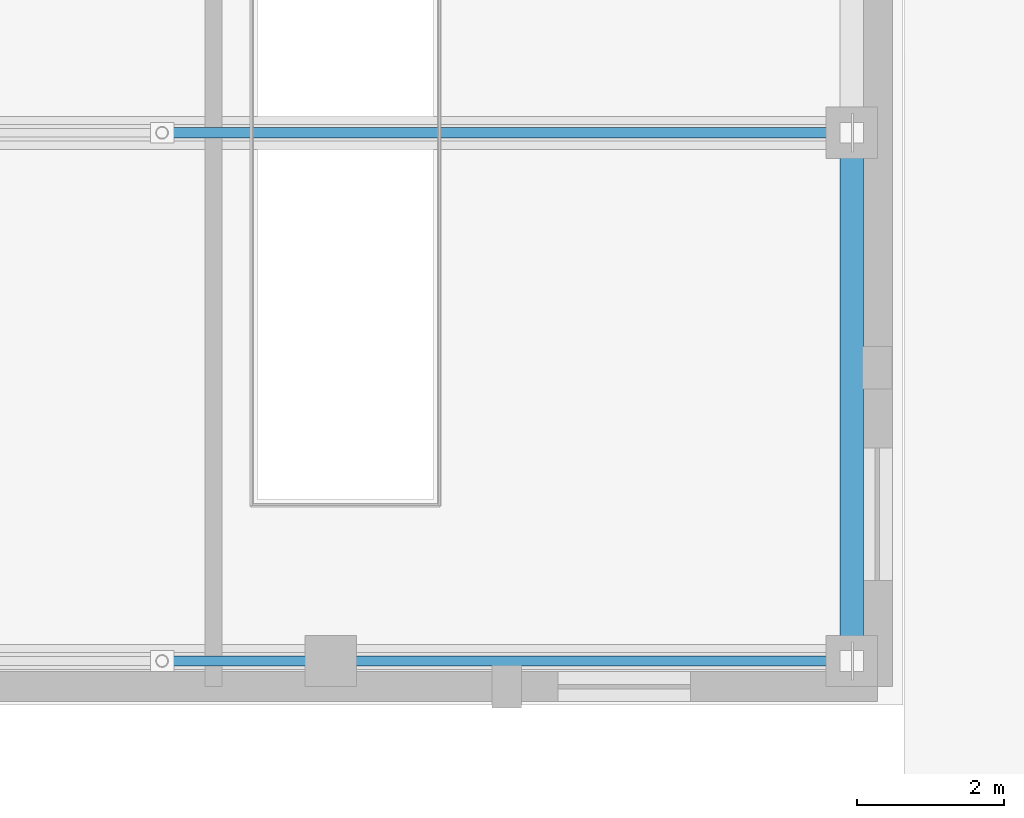
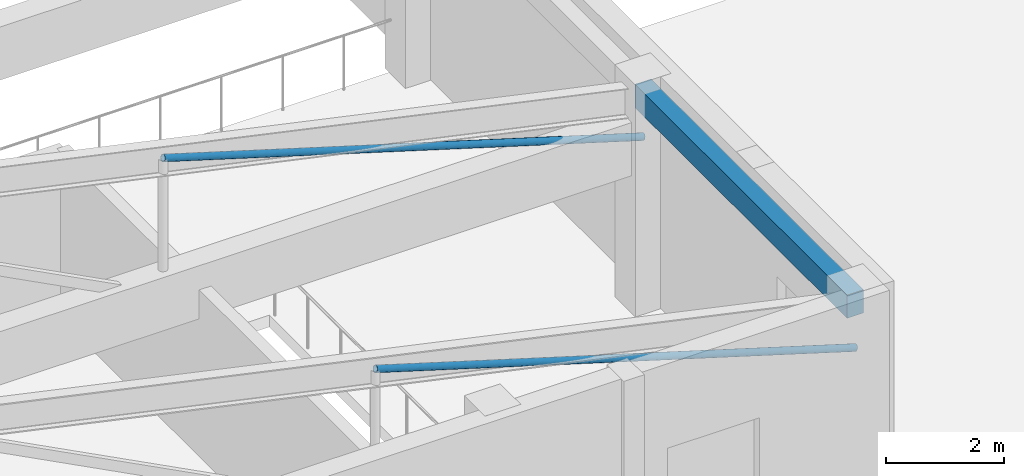
# One storey, part 29 of 105: 2 members, 1 beam.
"""IFC4 building model written with IfcOpenShell, lengths in metres."""

from ifc_helpers import new_model, si_unit, direction, frame, origin, origin_2d, place, context, subcontext, project, spatial, rectangle, hollow_circle, extrude, material, material_profile, profile_set, type_object, element, save


model = new_model("IFC4")

# Units and contexts
model_context = context("Model", 3, precision=1e-05, world=origin(), true_north=direction((0.0, 1.0)))
body_context = subcontext(model_context, "Body", "Model", "MODEL_VIEW")
ifc_project = project(units=[si_unit("LENGTHUNIT", "METRE"), si_unit("AREAUNIT", "SQUARE_METRE"), si_unit("VOLUMEUNIT", "CUBIC_METRE"), si_unit("PLANEANGLEUNIT", "RADIAN"), si_unit("MASSUNIT", "GRAM", prefix="KILO")], contexts=[model_context])

# Site, building, storey
site_placement = place(None, origin())
site = spatial("IfcSite", under=ifc_project, at=site_placement, CompositionType="ELEMENT")
building_placement = place(site_placement, origin())
building = spatial("IfcBuilding", under=site, at=building_placement, Name="Pelvatis Terrace Science Centre", CompositionType="ELEMENT")
storey_placement = place(building_placement, frame((0.0, 0.0, 10.199951171875)))
storey = spatial("IfcBuildingStorey", under=building, at=storey_placement, Name="L02", CompositionType="ELEMENT", Elevation=10.199951171875)

# Beam
ifc_material_1 = material(Name="Concrete C35/45", Category="concrete")
ifc_material_profile_1 = material_profile(ifc_material_1, rectangle(XDim=0.320068359375, YDim=0.47998046875, at=origin_2d()), Name="RC-BM 320x480")
ifc_profile_set_1 = profile_set([ifc_material_profile_1], Name="Concrete C35/45")
beam_type = type_object("IfcBeamType", Name="BM-RC-320x480", PredefinedType="BEAM", material=ifc_profile_set_1)
beam_placement = place(storey_placement, frame((46.10009765625, 70.800048828125, 4.300048828125), z_axis=(0.0, 1.0, 0.0), x_axis=(-1.0, 0.0, 0.0)))
element("IfcBeam", 1, at=beam_placement, inside=storey, type_object=beam_type, Name="Beam BM-L02-2887", PredefinedType="BEAM", context=body_context, shape_type="SweptSolid", body=[
    extrude(rectangle(XDim=0.320068359375, YDim=0.47998046875, at=origin_2d()), origin(), (0.0, 0.0, 1.0), 7.199951171875),
])

# Members
ifc_material_2 = material(Name="Structural steel S355", Category="steel")
ifc_material_profile_2 = material_profile(ifc_material_2, hollow_circle(Radius=0.06982421875, WallThickness=0.0048828125, at=origin_2d()), Name="CHS 139.7x5.0")
ifc_profile_set_2 = profile_set([ifc_material_profile_2], Name="Structural steel S355")
member_type = type_object("IfcMemberType", Name="MEM-BRC-CHS140", PredefinedType="BRACE", material=ifc_profile_set_2)
for number, where, z_axis, x_axis, name in (
    (2, (46.10009765625, 70.800048828125, 3.400146484375), (-0.95698697829, 0.0, 0.290130872856), (0.0, -1.0, 0.0), "Theatre truss 1 web 5"),
    (3, (46.10009765625, 78.0, 3.400146484375), (-0.95698697829, 0.0, 0.290130872856), (0.0, -1.0, 0.0), "Theatre truss 2 web 5"),
):
    element("IfcMember", number, at=place(storey_placement, frame(where, z_axis=z_axis, x_axis=x_axis)), inside=storey, type_object=member_type, Name=name, PredefinedType="BRACE", context=body_context, shape_type="SweptSolid", body=[
        extrude(hollow_circle(Radius=0.06982421875, WallThickness=0.0048828125, at=origin_2d()), origin(), (0.0, 0.0, 1.0), 9.82275390625),
    ])

save(model, "model.ifc")
